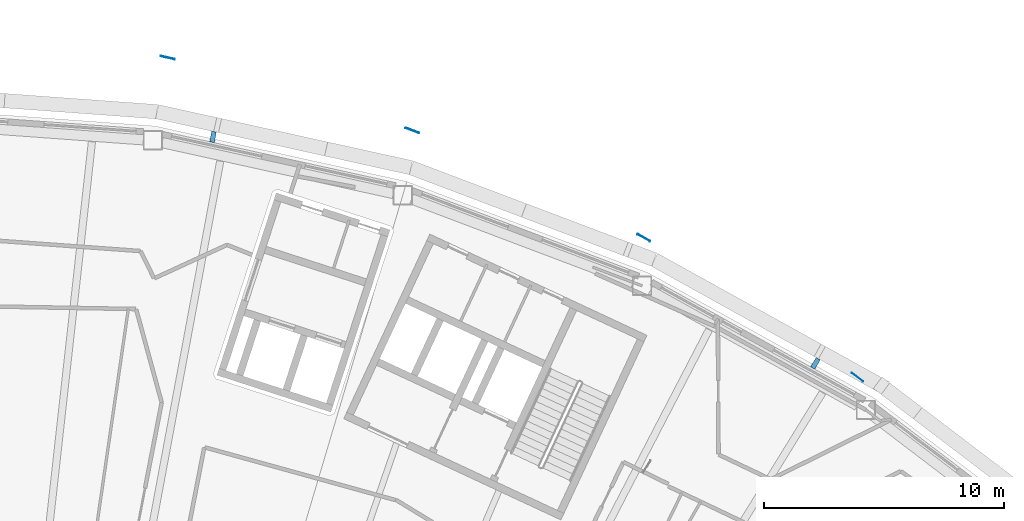
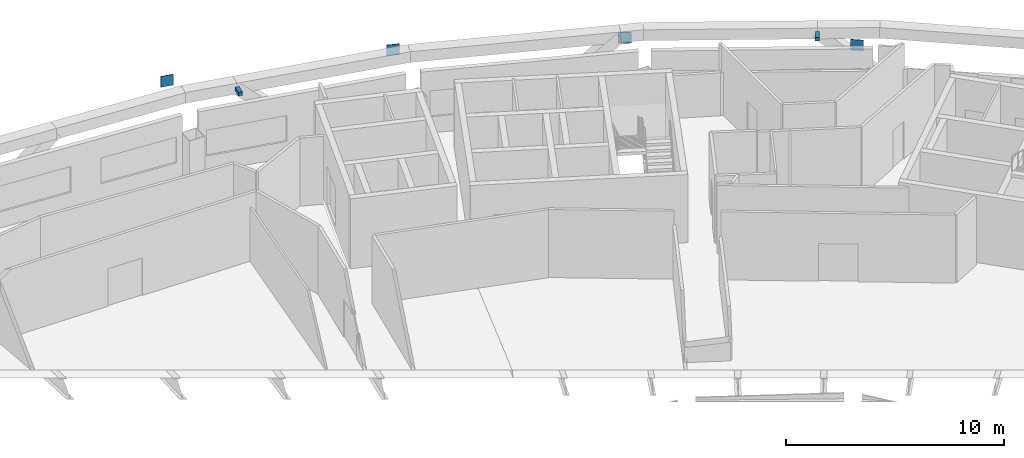
# One storey, part 17 of 21: 6 discrete accessories.
"""IFC4 building model written with IfcOpenShell, lengths in metres."""

from ifc_helpers import new_model, si_unit, direction, frame, origin, origin_2d, place, context, subcontext, project, spatial, rectangle, extrude, material, type_object, element, save


model = new_model("IFC4")

# Units and contexts
model_context = context("Model", 3, precision=1e-05, world=origin(), true_north=direction((0.0, 1.0)))
body_context = subcontext(model_context, "Body", "Model", "MODEL_VIEW")
ifc_project = project(units=[si_unit("LENGTHUNIT", "METRE"), si_unit("AREAUNIT", "SQUARE_METRE"), si_unit("VOLUMEUNIT", "CUBIC_METRE"), si_unit("PLANEANGLEUNIT", "RADIAN"), si_unit("MASSUNIT", "GRAM", prefix="KILO")], contexts=[model_context])

# Site, building, storey
site_placement = place(None, origin())
site = spatial("IfcSite", under=ifc_project, at=site_placement, CompositionType="ELEMENT")
building_placement = place(site_placement, origin())
building = spatial("IfcBuilding", under=site, at=building_placement, Name="Tuul Gate Civic Tower", CompositionType="ELEMENT")
storey_placement = place(building_placement, frame((0.0, 0.0, 311.0)))
storey = spatial("IfcBuildingStorey", under=building, at=storey_placement, Name="Level 70", CompositionType="ELEMENT", Elevation=311.0)

# Discrete accessories
ifc_material_1 = material(Name="Steel S355", Category="steel")
discrete_accessory_type_1 = type_object("IfcDiscreteAccessoryType", Name="Gusset plate", PredefinedType="BRACKET", material=ifc_material_1)
for number, where, z_axis, x_axis, name in (
    (1, (18.054931640625, 11.906982421875, 2.796630859375), (0.0, 0.0, 1.0), (0.976568946286, -0.215204770275, 0.0), "Gusset plate"),
    (2, (46.842041015625, -1.428955078125, 2.796630859375), (0.0, 0.0, 1.0), (0.795663839612, -0.605738437227, 0.0), "Gusset plate"),
    (3, (37.925048828125, 4.3935546875, 2.796630859375), (0.0, 0.0, 1.0), (0.874585469632, -0.484871381202, 0.0), "Gusset plate"),
    (4, (28.262451171875, 8.8701171875, 2.796630859375), (0.0, 0.0, 1.0), (0.93537504025, -0.353657368194, 0.0), "Gusset plate"),
):
    element("IfcDiscreteAccessory", number, at=place(storey_placement, frame(where, z_axis=z_axis, x_axis=x_axis)), inside=storey, type_object=discrete_accessory_type_1, Name=name, PredefinedType="BRACKET", context=body_context, shape_type="SweptSolid", body=[
        extrude(rectangle(XDim=0.60009765625, YDim=0.030029296875, at=origin_2d()), origin(), (0.0, 0.0, 1.0), 0.60009765625),
    ])
ifc_material_2 = material(Name="Stainless steel", Category="steel")
discrete_accessory_type_2 = type_object("IfcDiscreteAccessoryType", Name="Screen bracket", PredefinedType="BRACKET", material=ifc_material_2)
for number, where, z_axis, x_axis, name in (
    (5, (45.087158203125, -0.85302734375, 3.75), (0.0, 0.0, 1.0), (0.514617625981, 0.857419791601, 0.0), "Screen bracket 5"),
    (6, (19.947998046875, 8.598388671875, 3.75), (0.0, 0.0, 1.0), (0.176790997976, 0.984248415307, 0.0), "Screen bracket 8"),
):
    element("IfcDiscreteAccessory", number, at=place(storey_placement, frame(where, z_axis=z_axis, x_axis=x_axis)), inside=storey, type_object=discrete_accessory_type_2, Name=name, PredefinedType="BRACKET", context=body_context, shape_type="SweptSolid", body=[
        extrude(rectangle(XDim=0.4501953125, YDim=0.199951171875, at=origin_2d()), origin(), (0.0, 0.0, 1.0), 0.199951171875),
    ])

save(model, "model.ifc")
